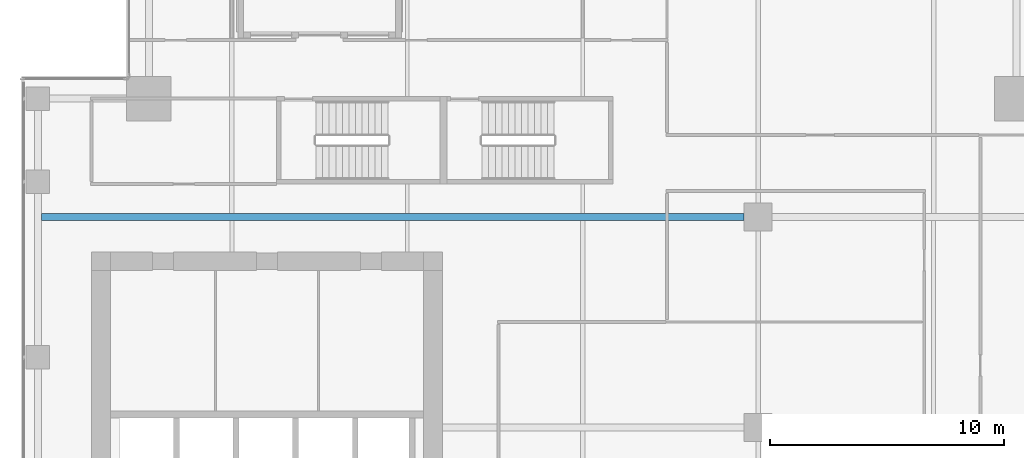
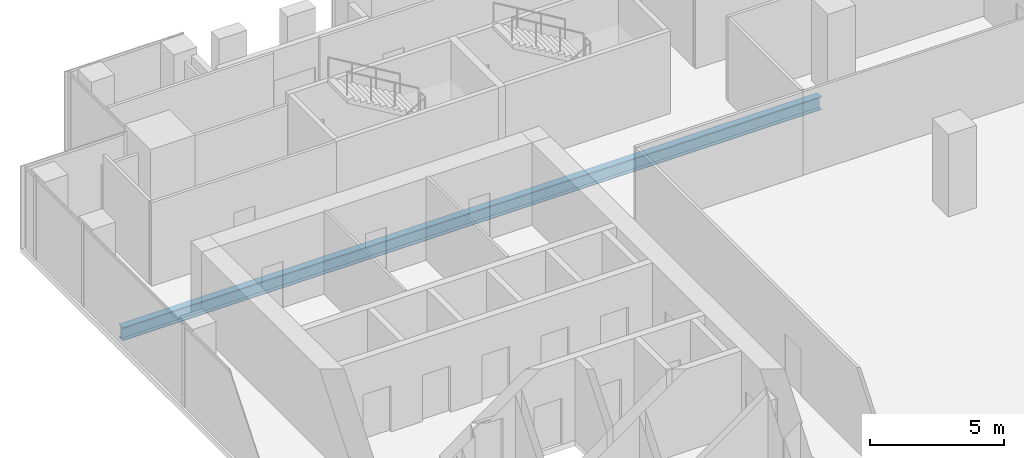
# One storey, part 18 of 40: 1 beam.
"""IFC4 building model written with IfcOpenShell, lengths in metres."""

from ifc_helpers import new_model, si_unit, direction, frame, origin, origin_2d, place, context, subcontext, project, spatial, i_section, extrude, source, transform, mapped, material, material_profile, profile_set, type_object, element, save


model = new_model("IFC4")

# Units and contexts
model_context = context("Model", 3, precision=1e-05, world=origin(), true_north=direction((0.0, 1.0)))
body_context = subcontext(model_context, "Body", "Model", "MODEL_VIEW")
ifc_project = project(units=[si_unit("LENGTHUNIT", "METRE"), si_unit("AREAUNIT", "SQUARE_METRE"), si_unit("VOLUMEUNIT", "CUBIC_METRE"), si_unit("PLANEANGLEUNIT", "RADIAN"), si_unit("MASSUNIT", "GRAM", prefix="KILO")], contexts=[model_context])

# Site, building, storey
site_placement = place(None, origin())
site = spatial("IfcSite", under=ifc_project, at=site_placement, CompositionType="ELEMENT")
building_placement = place(site_placement, origin())
building = spatial("IfcBuilding", under=site, at=building_placement, Name="Khomas Fold Tower", CompositionType="ELEMENT")
storey_placement = place(building_placement, frame((0.0, 0.0, 204.699951171875)))
storey = spatial("IfcBuildingStorey", under=building, at=storey_placement, Name="L45", CompositionType="ELEMENT", Elevation=204.699951171875)

# Beam
ifc_material = material(Name="Steel S355", Category="steel")
ifc_material_profile = material_profile(ifc_material, i_section(OverallWidth=0.300048828125, OverallDepth=0.60009765625, WebThickness=0.015380859375, FlangeThickness=0.030029296875, at=origin_2d()), Name="HE 600 B")
ifc_profile_set = profile_set([ifc_material_profile], Name="Steel S355")
beam_type = type_object("IfcBeamType", Name="HE 600 B beam GB5", PredefinedType="BEAM", material=ifc_profile_set)
shared_shape = source(origin(), body_context, "Body", "SweptSolid", [
    extrude(i_section(OverallWidth=0.300048828125, OverallDepth=0.60009765625, WebThickness=0.015380859375, FlangeThickness=0.030029296875, at=origin_2d()), origin(), (0.0, 0.0, 1.0), 30.0498046875),
])
beam_placement = place(storey_placement, frame((3.85009765625, 40.5, -0.550048828125), z_axis=(1.0, 0.0, 0.0), x_axis=(0.0, 1.0, 0.0)))
element("IfcBeam", 1, at=beam_placement, inside=storey, type_object=beam_type, Name="GB5", PredefinedType="BEAM", context=body_context, shape_type="MappedRepresentation", body=[
    mapped(shared_shape, transform((0.0, 0.0, 0.0))),
])

save(model, "model.ifc")
